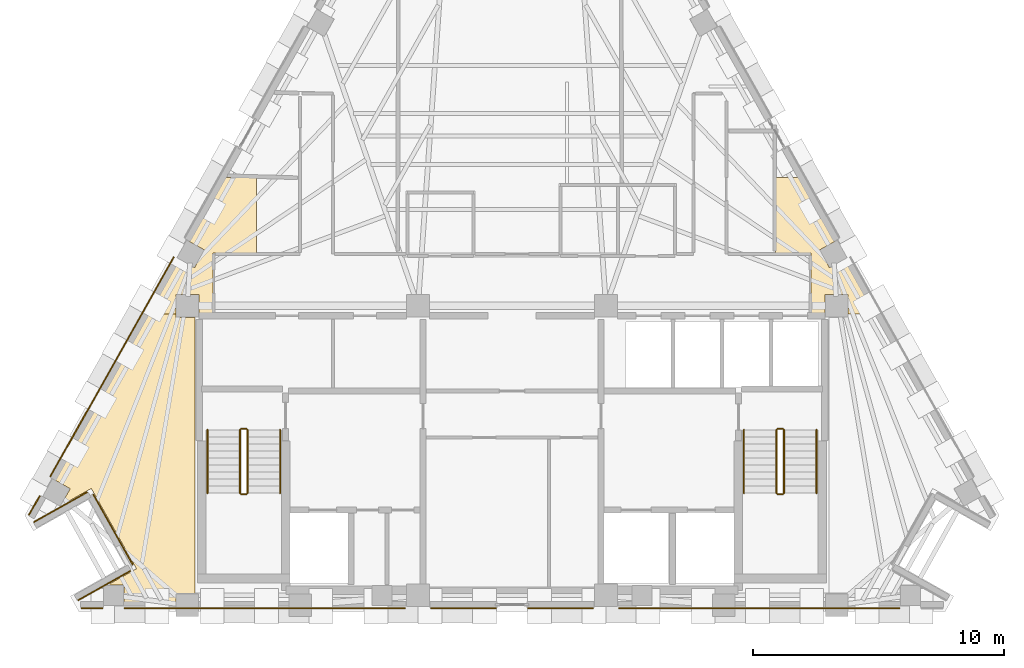
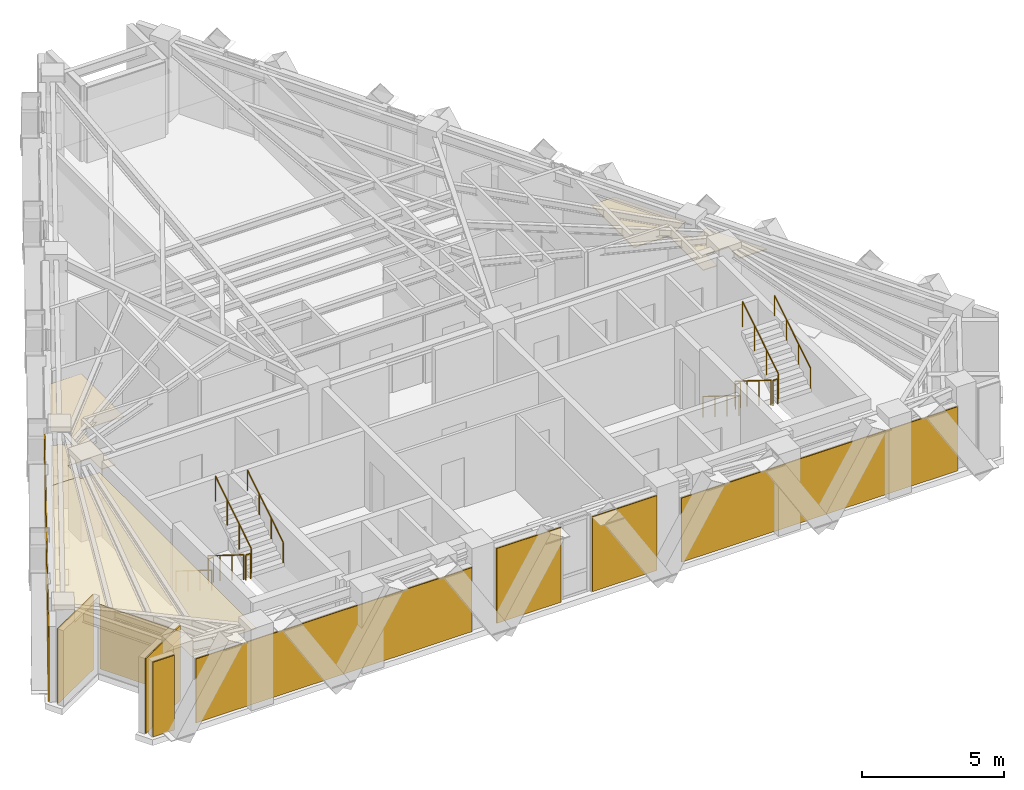
# One storey, part 8 of 9: 13 coverings, 12 railings.
"""IFC4 building model written with IfcOpenShell, lengths in metres."""

from ifc_helpers import new_model, si_unit, direction, frame, origin, origin_2d, place, context, subcontext, project, spatial, polyline, circle, outline, extrude, material, layer, layer_set, type_object, element, save


model = new_model("IFC4")

# Units and contexts
model_context = context("Model", 3, precision=1e-05, world=origin(), true_north=direction((0.0, 1.0)))
body_context = subcontext(model_context, "Body", "Model", "MODEL_VIEW")
ifc_project = project(units=[si_unit("LENGTHUNIT", "METRE"), si_unit("AREAUNIT", "SQUARE_METRE"), si_unit("VOLUMEUNIT", "CUBIC_METRE"), si_unit("PLANEANGLEUNIT", "RADIAN"), si_unit("MASSUNIT", "GRAM", prefix="KILO")], contexts=[model_context])

# Site, building, storey
site_placement = place(None, origin())
site = spatial("IfcSite", under=ifc_project, at=site_placement, CompositionType="ELEMENT")
building_placement = place(site_placement, origin())
building = spatial("IfcBuilding", under=site, at=building_placement, Name="Quenlor Broadcast Tower", CompositionType="ELEMENT")
storey_placement = place(building_placement, frame((0.0, 0.0, 239.39990234375)))
storey = spatial("IfcBuildingStorey", under=building, at=storey_placement, Name="L66", CompositionType="ELEMENT", Elevation=239.39990234375)

# Coverings
ifc_material_1 = material(Name="Acoustic Mineral Fibre Board", Category="other")
ifc_layer_1 = layer(ifc_material_1, 0.02490234375)
ifc_layer_set_1 = layer_set([ifc_layer_1], Name="Acoustic Perforated Mineral Tile Ceiling 25")
covering_type_1 = type_object("IfcCoveringType", Name="Acoustic Perforated Mineral Tile Ceiling 25", PredefinedType="CEILING", material=ifc_layer_set_1)
covering_1_placement = place(storey_placement, frame((0.0, 0.0, 2.714599609375)))
element("IfcCovering", 1, at=covering_1_placement, inside=storey, type_object=covering_type_1, Name="L66 Acoustic Ceiling L66-29", PredefinedType="CEILING", context=body_context, shape_type="SweptSolid", body=[
    extrude(outline(polyline([(-13.295654296875, -2.930419921875), (-12.669921875, -3.2822265625), (-12.27001953125, -2.571044921875), (-12.895751953125, -2.218994140625), (-11.470458984375, 0.314697265625), (-10.18505859375, 0.314697265625), (-10.18505859375, -2.699951171875), (-11.929931640625, -2.699951171875), (-11.929931640625, -5.1201171875), (-12.491943359375, -5.1201171875), (-12.491943359375, -4.342041015625), (-13.407958984375, -4.342041015625), (-13.407958984375, -5.1201171875), (-14.52734375, -5.1201171875), (-13.295654296875, -2.930419921875)])), origin(), (0.0, 0.0, 1.0), 0.025146484375),
])
covering_2_placement = place(storey_placement, frame((0.0, 0.0, 2.714599609375)))
element("IfcCovering", 2, at=covering_2_placement, inside=storey, type_object=covering_type_1, Name="L66 Acoustic Ceiling L66-29-2", PredefinedType="CEILING", context=body_context, shape_type="SweptSolid", body=[
    extrude(outline(polyline([(-18.25244140625, -11.7421875), (-14.52734375, -5.1201171875), (-13.407958984375, -5.1201171875), (-13.407958984375, -5.258056640625), (-12.64990234375, -5.258056640625), (-12.64990234375, -16.2919921875), (-13.407958984375, -16.2919921875), (-13.407958984375, -16.659912109375), (-15.489501953125, -16.659912109375), (-15.489501953125, -15.94189453125), (-16.1435546875, -15.94189453125), (-14.983642578125, -15.28955078125), (-16.785888671875, -12.085693359375), (-18.0087890625, -12.773681640625), (-17.626708984375, -12.09423828125), (-18.25244140625, -11.7421875)])), origin(), (0.0, 0.0, 1.0), 0.025146484375),
])
ifc_material_2 = material(Name="Acoustic Gypsum Board", Category="other")
ifc_layer_2 = layer(ifc_material_2, 0.0400390625)
ifc_layer_set_2 = layer_set([ifc_layer_2], Name="Broadcast Studio Spring Isolated Ceiling 40")
covering_type_2 = type_object("IfcCoveringType", Name="Broadcast Studio Spring Isolated Ceiling 40", PredefinedType="CEILING", material=ifc_layer_set_2)
covering_3_placement = place(storey_placement, frame((0.0, 0.0, 2.69970703125)))
element("IfcCovering", 3, at=covering_3_placement, inside=storey, type_object=covering_type_2, Name="L66 Acoustic Ceiling L66-30", PredefinedType="CEILING", context=body_context, shape_type="SweptSolid", body=[
    extrude(outline(polyline([(13.407958984375, -4.342041015625), (12.491943359375, -4.342041015625), (12.491943359375, -5.1201171875), (11.929931640625, -5.1201171875), (11.929931640625, -2.699951171875), (10.52001953125, -2.699951171875), (10.52001953125, 0.314697265625), (11.470458984375, 0.314697265625), (12.895751953125, -2.218994140625), (12.27001953125, -2.571044921875), (12.669921875, -3.2822265625), (13.295654296875, -2.930419921875), (14.52734375, -5.1201171875), (13.407958984375, -5.1201171875), (13.407958984375, -4.342041015625)])), origin(), (0.0, 0.0, 1.0), 0.0400390625),
])
ifc_material_3 = material(Name="Architectural Terracotta Ceramic", Category="masonry")
ifc_layer_3 = layer(ifc_material_3, 0.044921875)
ifc_layer_set_3 = layer_set([ifc_layer_3], Name="Fluted Terracotta Rainscreen Cladding Panel")
covering_type_3 = type_object("IfcCoveringType", Name="Fluted Terracotta Rainscreen Cladding Panel", PredefinedType="CLADDING", material=ifc_layer_set_3)
covering_4_placement = place(storey_placement, frame((0.0, 0.0, 0.02001953125)))
element("IfcCovering", 4, at=covering_4_placement, inside=storey, type_object=covering_type_3, Name="L66 Terracotta Rainscreen Cladding L66-SHD-SS1", PredefinedType="CLADDING", context=body_context, shape_type="SweptSolid", body=[
    extrude(outline(polyline([(-16.33251953125, -16.8369140625), (-17.18994140625, -16.8369140625), (-17.18994140625, -16.882080078125), (-16.33251953125, -16.882080078125), (-16.33251953125, -16.8369140625)])), origin(), (0.0, 0.0, 1.0), 3.2099609375),
])
covering_5_placement = place(storey_placement, frame((0.0, 0.0, 0.02001953125)))
element("IfcCovering", 5, at=covering_5_placement, inside=storey, type_object=covering_type_3, Name="L66 Terracotta Rainscreen Cladding L66-EW-SA", PredefinedType="CLADDING", context=body_context, shape_type="SweptSolid", body=[
    extrude(outline(polyline([(15.462646484375, -16.846923828125), (4.25, -16.846923828125), (4.25, -16.89208984375), (15.462646484375, -16.89208984375), (15.462646484375, -16.846923828125)])), origin(), (0.0, 0.0, 1.0), 2.749755859375),
])
covering_6_placement = place(storey_placement, frame((0.0, 0.0, 0.02001953125)))
element("IfcCovering", 6, at=covering_6_placement, inside=storey, type_object=covering_type_3, Name="L66 Terracotta Rainscreen Cladding L66-EW-SC", PredefinedType="CLADDING", context=body_context, shape_type="SweptSolid", body=[
    extrude(outline(polyline([(-4.25, -16.846923828125), (-15.462646484375, -16.846923828125), (-15.462646484375, -16.89208984375), (-4.25, -16.89208984375), (-4.25, -16.846923828125)])), origin(), (0.0, 0.0, 1.0), 2.749755859375),
])
covering_7_placement = place(storey_placement, frame((0.0, 0.0, 0.02001953125)))
element("IfcCovering", 7, at=covering_7_placement, inside=storey, type_object=covering_type_3, Name="L66 Terracotta Rainscreen Cladding L66-S-SP1", PredefinedType="CLADDING", context=body_context, shape_type="SweptSolid", body=[
    extrude(outline(polyline([(3.25, -16.846923828125), (0.636474609375, -16.846923828125), (0.636474609375, -16.89208984375), (3.25, -16.89208984375), (3.25, -16.846923828125)])), origin(), (0.0, 0.0, 1.0), 3.2099609375),
])
covering_8_placement = place(storey_placement, frame((0.0, 0.0, 0.02001953125)))
element("IfcCovering", 8, at=covering_8_placement, inside=storey, type_object=covering_type_3, Name="L66 Terracotta Rainscreen Cladding L66-S-SP2", PredefinedType="CLADDING", context=body_context, shape_type="SweptSolid", body=[
    extrude(outline(polyline([(-0.636474609375, -16.846923828125), (-3.25, -16.846923828125), (-3.25, -16.89208984375), (-0.636474609375, -16.89208984375), (-0.636474609375, -16.846923828125)])), origin(), (0.0, 0.0, 1.0), 3.2099609375),
])
covering_9_placement = place(storey_placement, frame((0.0, 0.0, 0.02001953125)))
element("IfcCovering", 9, at=covering_9_placement, inside=storey, type_object=covering_type_3, Name="L66 Terracotta Rainscreen Cladding L66-SHD-NWS0", PredefinedType="CLADDING", context=body_context, shape_type="SweptSolid", body=[
    extrude(outline(polyline([(-19.25390625, -13.161376953125), (-18.820068359375, -12.39013671875), (-18.859130859375, -12.3681640625), (-19.29296875, -13.139404296875), (-19.25390625, -13.161376953125)])), origin(), (0.0, 0.0, 1.0), 3.2099609375),
])
covering_10_placement = place(storey_placement, frame((0.0, 0.0, 0.02001953125)))
element("IfcCovering", 10, at=covering_10_placement, inside=storey, type_object=covering_type_3, Name="L66 Terracotta Rainscreen Cladding L66-EW-NWA", PredefinedType="CLADDING", context=body_context, shape_type="SweptSolid", body=[
    extrude(outline(polyline([(-18.402099609375, -11.626953125), (-13.471923828125, -2.862060546875), (-13.51123046875, -2.840087890625), (-18.44140625, -11.60498046875), (-18.402099609375, -11.626953125)])), origin(), (0.0, 0.0, 1.0), 3.2099609375),
])
covering_11_placement = place(storey_placement, frame((0.0, 0.0, 0.02001953125)))
element("IfcCovering", 11, at=covering_11_placement, inside=storey, type_object=covering_type_3, Name="L66 Terracotta Rainscreen Cladding L66-CNR-13", PredefinedType="CLADDING", context=body_context, shape_type="SweptSolid", body=[
    extrude(outline(polyline([(-19.062255859375, -13.444091796875), (-16.935546875, -12.247802734375), (-16.95751953125, -12.208740234375), (-19.084228515625, -13.405029296875), (-19.062255859375, -13.444091796875)])), origin(), (0.0, 0.0, 1.0), 3.2099609375),
])
covering_12_placement = place(storey_placement, frame((0.0, 0.0, 0.02001953125)))
element("IfcCovering", 12, at=covering_12_placement, inside=storey, type_object=covering_type_3, Name="L66 Terracotta Rainscreen Cladding L66-CNR-14", PredefinedType="CLADDING", context=body_context, shape_type="SweptSolid", body=[
    extrude(outline(polyline([(-16.72265625, -12.3369140625), (-15.14599609375, -15.139892578125), (-15.106689453125, -15.117919921875), (-16.683349609375, -12.31494140625), (-16.72265625, -12.3369140625)])), origin(), (0.0, 0.0, 1.0), 2.749755859375),
])
covering_13_placement = place(storey_placement, frame((0.0, 0.0, 0.02001953125)))
element("IfcCovering", 13, at=covering_13_placement, inside=storey, type_object=covering_type_3, Name="L66 Terracotta Rainscreen Cladding L66-CNR-15", PredefinedType="CLADDING", context=body_context, shape_type="SweptSolid", body=[
    extrude(outline(polyline([(-15.23486328125, -15.352783203125), (-17.32666015625, -16.529541015625), (-17.3046875, -16.568603515625), (-15.212890625, -15.39208984375), (-15.23486328125, -15.352783203125)])), origin(), (0.0, 0.0, 1.0), 3.2099609375),
])

# Railings
ifc_material_4 = material(Name="Anodised Aluminium", Category="aluminium")
railing_type_1 = type_object("IfcRailingType", Name="Stainless Aluminium Wall Handrail 900", PredefinedType="HANDRAIL", material=ifc_material_4)
railing_1_placement = place(storey_placement, frame((-12.14990234375, -9.75, 0.175048828125)))
element("IfcRailing", 14, at=railing_1_placement, inside=storey, type_object=railing_type_1, Name="L66 ST-1 stair handrail 1", PredefinedType="HANDRAIL", context=body_context, shape_type="SweptSolid", body=[
    extrude(circle(Radius=0.02392578125, at=origin_2d()), frame((0.0, 0.0, 0.8759765625), z_axis=(0.0, -0.848007534815, 0.529984170421), x_axis=(1.0, 0.0, 0.0)), (0.0, 0.0, 1.0), 2.9716796875),
    extrude(circle(Radius=0.02099609375, at=origin_2d()), origin(), (0.0, 0.0, 1.0), 0.851806640625),
    extrude(circle(Radius=0.02099609375, at=origin_2d()), frame((0.0, -0.840087890625, 0.52490234375)), (0.0, 0.0, 1.0), 0.851806640625),
    extrude(circle(Radius=0.02099609375, at=origin_2d()), frame((0.0, -1.679931640625, 1.050048828125)), (0.0, 0.0, 1.0), 0.851806640625),
    extrude(circle(Radius=0.02099609375, at=origin_2d()), frame((0.0, -2.52001953125, 1.574951171875)), (0.0, 0.0, 1.0), 0.851806640625),
])
railing_2_placement = place(storey_placement, frame((-9.25, -12.27001953125, 1.925048828125)))
element("IfcRailing", 15, at=railing_2_placement, inside=storey, type_object=railing_type_1, Name="L66 ST-1 stair handrail 2", PredefinedType="HANDRAIL", context=body_context, shape_type="SweptSolid", body=[
    extrude(circle(Radius=0.02392578125, at=origin_2d()), frame((0.0, 0.0, 0.8759765625), z_axis=(0.0, 0.848007534815, 0.529984170421), x_axis=(-1.0, 0.0, 0.0)), (0.0, 0.0, 1.0), 2.9716796875),
    extrude(circle(Radius=0.02099609375, at=origin_2d()), origin(), (0.0, 0.0, 1.0), 0.851806640625),
    extrude(circle(Radius=0.02099609375, at=origin_2d()), frame((0.0, 0.840087890625, 0.52490234375)), (0.0, 0.0, 1.0), 0.851806640625),
    extrude(circle(Radius=0.02099609375, at=origin_2d()), frame((0.0, 1.679931640625, 1.050048828125)), (0.0, 0.0, 1.0), 0.851806640625),
    extrude(circle(Radius=0.02099609375, at=origin_2d()), frame((0.0, 2.52001953125, 1.574951171875)), (0.0, 0.0, 1.0), 0.851806640625),
])
railing_3_placement = place(storey_placement, frame((9.25, -9.75, 0.175048828125)))
element("IfcRailing", 16, at=railing_3_placement, inside=storey, type_object=railing_type_1, Name="L66 ST-2 stair handrail 1", PredefinedType="HANDRAIL", context=body_context, shape_type="SweptSolid", body=[
    extrude(circle(Radius=0.02392578125, at=origin_2d()), frame((0.0, 0.0, 0.8759765625), z_axis=(0.0, -0.848007534815, 0.529984170421), x_axis=(1.0, 0.0, 0.0)), (0.0, 0.0, 1.0), 2.9716796875),
    extrude(circle(Radius=0.02099609375, at=origin_2d()), origin(), (0.0, 0.0, 1.0), 0.851806640625),
    extrude(circle(Radius=0.02099609375, at=origin_2d()), frame((0.0, -0.840087890625, 0.52490234375)), (0.0, 0.0, 1.0), 0.851806640625),
    extrude(circle(Radius=0.02099609375, at=origin_2d()), frame((0.0, -1.679931640625, 1.050048828125)), (0.0, 0.0, 1.0), 0.851806640625),
    extrude(circle(Radius=0.02099609375, at=origin_2d()), frame((0.0, -2.52001953125, 1.574951171875)), (0.0, 0.0, 1.0), 0.851806640625),
])
railing_4_placement = place(storey_placement, frame((12.14990234375, -12.27001953125, 1.925048828125)))
element("IfcRailing", 17, at=railing_4_placement, inside=storey, type_object=railing_type_1, Name="L66 ST-2 stair handrail 2", PredefinedType="HANDRAIL", context=body_context, shape_type="SweptSolid", body=[
    extrude(circle(Radius=0.02392578125, at=origin_2d()), frame((0.0, 0.0, 0.8759765625), z_axis=(0.0, 0.848007534815, 0.529984170421), x_axis=(-1.0, 0.0, 0.0)), (0.0, 0.0, 1.0), 2.9716796875),
    extrude(circle(Radius=0.02099609375, at=origin_2d()), origin(), (0.0, 0.0, 1.0), 0.851806640625),
    extrude(circle(Radius=0.02099609375, at=origin_2d()), frame((0.0, 0.840087890625, 0.52490234375)), (0.0, 0.0, 1.0), 0.851806640625),
    extrude(circle(Radius=0.02099609375, at=origin_2d()), frame((0.0, 1.679931640625, 1.050048828125)), (0.0, 0.0, 1.0), 0.851806640625),
    extrude(circle(Radius=0.02099609375, at=origin_2d()), frame((0.0, 2.52001953125, 1.574951171875)), (0.0, 0.0, 1.0), 0.851806640625),
])
ifc_material_5 = material(Name="Steel S355", Category="steel")
railing_type_2 = type_object("IfcRailingType", Name="Tubular Steel S355 Stair Guardrail 1100", PredefinedType="BALUSTRADE", material=ifc_material_5)
railing_5_placement = place(storey_placement, frame((-10.85009765625, -9.75, 0.175048828125)))
element("IfcRailing", 18, at=railing_5_placement, inside=storey, type_object=railing_type_2, Name="L66 ST-1 stair guard 1", PredefinedType="BALUSTRADE", context=body_context, shape_type="SweptSolid", body=[
    extrude(circle(Radius=0.02392578125, at=origin_2d()), frame((0.0, 0.0, 1.076171875), z_axis=(0.0, -0.848007534815, 0.529984170421), x_axis=(1.0, 0.0, 0.0)), (0.0, 0.0, 1.0), 2.9716796875),
    extrude(circle(Radius=0.02099609375, at=origin_2d()), origin(), (0.0, 0.0, 1.0), 1.052001953125),
    extrude(circle(Radius=0.02099609375, at=origin_2d()), frame((0.0, -0.840087890625, 0.52490234375)), (0.0, 0.0, 1.0), 1.052001953125),
    extrude(circle(Radius=0.02099609375, at=origin_2d()), frame((0.0, -1.679931640625, 1.050048828125)), (0.0, 0.0, 1.0), 1.052001953125),
    extrude(circle(Radius=0.02099609375, at=origin_2d()), frame((0.0, -2.52001953125, 1.574951171875)), (0.0, 0.0, 1.0), 1.052001953125),
])
railing_6_placement = place(storey_placement, frame((-10.800048828125, -12.320068359375, 1.75)))
element("IfcRailing", 19, at=railing_6_placement, inside=storey, type_object=railing_type_2, Name="L66 ST-1 stair guard 2", PredefinedType="BALUSTRADE", context=body_context, shape_type="SweptSolid", body=[
    extrude(circle(Radius=0.02392578125, at=origin_2d()), frame((0.0, 0.0, 1.076171875), z_axis=(1.0, 0.0, 0.0), x_axis=(0.0, 1.0, 0.0)), (0.0, 0.0, 1.0), 0.199951171875),
    extrude(circle(Radius=0.02099609375, at=origin_2d()), origin(), (0.0, 0.0, 1.0), 1.052001953125),
    extrude(circle(Radius=0.02099609375, at=origin_2d()), frame((0.199951171875, 0.0, 0.0)), (0.0, 0.0, 1.0), 1.052001953125),
])
railing_7_placement = place(storey_placement, frame((-10.550048828125, -12.27001953125, 1.925048828125)))
element("IfcRailing", 20, at=railing_7_placement, inside=storey, type_object=railing_type_2, Name="L66 ST-1 stair guard 3", PredefinedType="BALUSTRADE", context=body_context, shape_type="SweptSolid", body=[
    extrude(circle(Radius=0.02392578125, at=origin_2d()), frame((0.0, 0.0, 1.076171875), z_axis=(0.0, 0.848007534815, 0.529984170421), x_axis=(-1.0, 0.0, 0.0)), (0.0, 0.0, 1.0), 2.9716796875),
    extrude(circle(Radius=0.02099609375, at=origin_2d()), origin(), (0.0, 0.0, 1.0), 1.052001953125),
    extrude(circle(Radius=0.02099609375, at=origin_2d()), frame((0.0, 0.840087890625, 0.52490234375)), (0.0, 0.0, 1.0), 1.052001953125),
    extrude(circle(Radius=0.02099609375, at=origin_2d()), frame((0.0, 1.679931640625, 1.050048828125)), (0.0, 0.0, 1.0), 1.052001953125),
    extrude(circle(Radius=0.02099609375, at=origin_2d()), frame((0.0, 2.52001953125, 1.574951171875)), (0.0, 0.0, 1.0), 1.052001953125),
])
railing_8_placement = place(storey_placement, frame((-10.800048828125, -9.699951171875, 0.0)))
element("IfcRailing", 21, at=railing_8_placement, inside=storey, type_object=railing_type_2, Name="L66 ST-1 stair guard 4", PredefinedType="BALUSTRADE", context=body_context, shape_type="SweptSolid", body=[
    extrude(circle(Radius=0.02392578125, at=origin_2d()), frame((0.0, 0.0, 1.076171875), z_axis=(1.0, 0.0, 0.0), x_axis=(0.0, 1.0, 0.0)), (0.0, 0.0, 1.0), 0.199951171875),
    extrude(circle(Radius=0.02099609375, at=origin_2d()), origin(), (0.0, 0.0, 1.0), 1.052001953125),
    extrude(circle(Radius=0.02099609375, at=origin_2d()), frame((0.199951171875, 0.0, 0.0)), (0.0, 0.0, 1.0), 1.052001953125),
])
railing_9_placement = place(storey_placement, frame((10.550048828125, -9.75, 0.175048828125)))
element("IfcRailing", 22, at=railing_9_placement, inside=storey, type_object=railing_type_2, Name="L66 ST-2 stair guard 1", PredefinedType="BALUSTRADE", context=body_context, shape_type="SweptSolid", body=[
    extrude(circle(Radius=0.02392578125, at=origin_2d()), frame((0.0, 0.0, 1.076171875), z_axis=(0.0, -0.848007534815, 0.529984170421), x_axis=(1.0, 0.0, 0.0)), (0.0, 0.0, 1.0), 2.9716796875),
    extrude(circle(Radius=0.02099609375, at=origin_2d()), origin(), (0.0, 0.0, 1.0), 1.052001953125),
    extrude(circle(Radius=0.02099609375, at=origin_2d()), frame((0.0, -0.840087890625, 0.52490234375)), (0.0, 0.0, 1.0), 1.052001953125),
    extrude(circle(Radius=0.02099609375, at=origin_2d()), frame((0.0, -1.679931640625, 1.050048828125)), (0.0, 0.0, 1.0), 1.052001953125),
    extrude(circle(Radius=0.02099609375, at=origin_2d()), frame((0.0, -2.52001953125, 1.574951171875)), (0.0, 0.0, 1.0), 1.052001953125),
])
railing_10_placement = place(storey_placement, frame((10.60009765625, -12.320068359375, 1.75)))
element("IfcRailing", 23, at=railing_10_placement, inside=storey, type_object=railing_type_2, Name="L66 ST-2 stair guard 2", PredefinedType="BALUSTRADE", context=body_context, shape_type="SweptSolid", body=[
    extrude(circle(Radius=0.02392578125, at=origin_2d()), frame((0.0, 0.0, 1.076171875), z_axis=(1.0, 0.0, 0.0), x_axis=(0.0, 1.0, 0.0)), (0.0, 0.0, 1.0), 0.199951171875),
    extrude(circle(Radius=0.02099609375, at=origin_2d()), origin(), (0.0, 0.0, 1.0), 1.052001953125),
    extrude(circle(Radius=0.02099609375, at=origin_2d()), frame((0.199951171875, 0.0, 0.0)), (0.0, 0.0, 1.0), 1.052001953125),
])
railing_11_placement = place(storey_placement, frame((10.85009765625, -12.27001953125, 1.925048828125)))
element("IfcRailing", 24, at=railing_11_placement, inside=storey, type_object=railing_type_2, Name="L66 ST-2 stair guard 3", PredefinedType="BALUSTRADE", context=body_context, shape_type="SweptSolid", body=[
    extrude(circle(Radius=0.02392578125, at=origin_2d()), frame((0.0, 0.0, 1.076171875), z_axis=(0.0, 0.848007534815, 0.529984170421), x_axis=(-1.0, 0.0, 0.0)), (0.0, 0.0, 1.0), 2.9716796875),
    extrude(circle(Radius=0.02099609375, at=origin_2d()), origin(), (0.0, 0.0, 1.0), 1.052001953125),
    extrude(circle(Radius=0.02099609375, at=origin_2d()), frame((0.0, 0.840087890625, 0.52490234375)), (0.0, 0.0, 1.0), 1.052001953125),
    extrude(circle(Radius=0.02099609375, at=origin_2d()), frame((0.0, 1.679931640625, 1.050048828125)), (0.0, 0.0, 1.0), 1.052001953125),
    extrude(circle(Radius=0.02099609375, at=origin_2d()), frame((0.0, 2.52001953125, 1.574951171875)), (0.0, 0.0, 1.0), 1.052001953125),
])
railing_12_placement = place(storey_placement, frame((10.60009765625, -9.699951171875, 0.0)))
element("IfcRailing", 25, at=railing_12_placement, inside=storey, type_object=railing_type_2, Name="L66 ST-2 stair guard 4", PredefinedType="BALUSTRADE", context=body_context, shape_type="SweptSolid", body=[
    extrude(circle(Radius=0.02392578125, at=origin_2d()), frame((0.0, 0.0, 1.076171875), z_axis=(1.0, 0.0, 0.0), x_axis=(0.0, 1.0, 0.0)), (0.0, 0.0, 1.0), 0.199951171875),
    extrude(circle(Radius=0.02099609375, at=origin_2d()), origin(), (0.0, 0.0, 1.0), 1.052001953125),
    extrude(circle(Radius=0.02099609375, at=origin_2d()), frame((0.199951171875, 0.0, 0.0)), (0.0, 0.0, 1.0), 1.052001953125),
])

save(model, "model.ifc")
